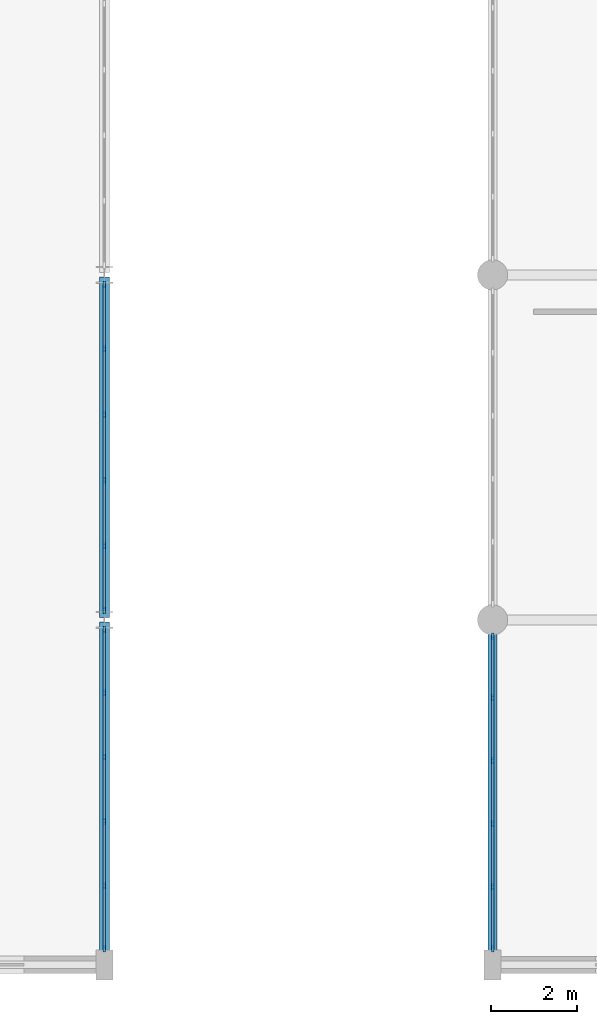
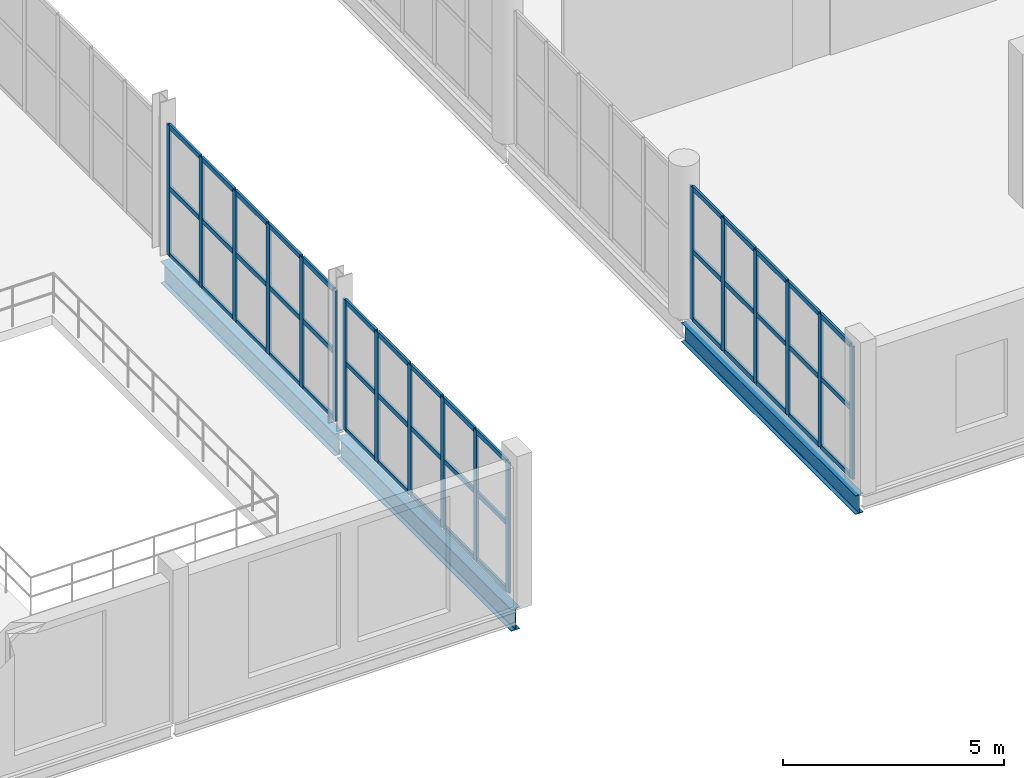
# One storey, part 28 of 85: 63 members, 3 beams, 3 elements without a shape of their own.
"""IFC4 building model written with IfcOpenShell, lengths in metres."""

from ifc_helpers import new_model, si_unit, direction, frame, origin, origin_2d, place, context, subcontext, project, spatial, rectangle, i_section, extrude, material, layer, layer_set, material_profile, profile_set, type_object, element, aggregate, save


model = new_model("IFC4")

# Units and contexts
model_context = context("Model", 3, precision=1e-05, world=origin(), true_north=direction((0.0, 1.0)))
body_context = subcontext(model_context, "Body", "Model", "MODEL_VIEW")
ifc_project = project(units=[si_unit("LENGTHUNIT", "METRE"), si_unit("AREAUNIT", "SQUARE_METRE"), si_unit("VOLUMEUNIT", "CUBIC_METRE"), si_unit("PLANEANGLEUNIT", "RADIAN"), si_unit("MASSUNIT", "GRAM", prefix="KILO")], contexts=[model_context])

# Site, building, storey
site_placement = place(None, origin())
site = spatial("IfcSite", under=ifc_project, at=site_placement, CompositionType="ELEMENT")
building_placement = place(site_placement, origin())
building = spatial("IfcBuilding", under=site, at=building_placement, Name="Marnock Terrace Opera House", CompositionType="ELEMENT")
storey_placement = place(building_placement, frame((0.0, 0.0, 10.199951171875)))
storey = spatial("IfcBuildingStorey", under=building, at=storey_placement, Name="L02", CompositionType="ELEMENT", Elevation=10.199951171875)

# Beams
ifc_material_1 = material(Name="Steel Grade 350 (AS/NZS 3679.1)", Category="steel")
ifc_material_profile_1 = material_profile(ifc_material_1, i_section(OverallWidth=0.208984375, OverallDepth=0.528076171875, WebThickness=0.009521484375, FlangeThickness=0.01318359375, FilletRadius=0.013916015625, at=origin_2d()))
ifc_profile_set_1 = profile_set([ifc_material_profile_1], Name="Steel Grade 350 (AS/NZS 3679.1)")
beam_type_1 = type_object("IfcBeamType", Name="BM-GIRD-530B", PredefinedType="BEAM", material=ifc_profile_set_1)
beam_placement = place(storey_placement, frame((118.0, 8.050048828125, -0.52392578125), z_axis=(0.0, 1.0, 0.0), x_axis=(-1.0, 0.0, 0.0)))
element("IfcBeam", 1, at=beam_placement, inside=storey, type_object=beam_type_1, Name="L02 girder (X=118.0, 8.0..16.0)", PredefinedType="BEAM", context=body_context, shape_type="SweptSolid", body=[
    extrude(i_section(OverallWidth=0.208984375, OverallDepth=0.528076171875, WebThickness=0.009521484375, FlangeThickness=0.01318359375, FilletRadius=0.013916015625, at=origin_2d()), origin(), (0.0, 0.0, 1.0), 7.89990234375),
])
ifc_material_profile_2 = material_profile(ifc_material_1, i_section(OverallWidth=0.22802734375, OverallDepth=0.60205078125, WebThickness=0.010498046875, FlangeThickness=0.014892578125, FilletRadius=0.013916015625, at=origin_2d()))
ifc_profile_set_2 = profile_set([ifc_material_profile_2], Name="Steel Grade 350 (AS/NZS 3679.1)")
beam_type_2 = type_object("IfcBeamType", Name="BM-GIRD-610C", PredefinedType="BEAM", material=ifc_profile_set_2)
for number, where, z_axis, x_axis, name in (
    (2, (109.0, 8.050048828125, -0.56103515625), (0.0, 1.0, 0.0), (-1.0, 0.0, 0.0), "L02 girder (X=109.0, 8.0..16.0)"),
    (3, (109.0, 16.050048828125, -0.56103515625), (0.0, 1.0, 0.0), (-1.0, 0.0, 0.0), "L02 girder (X=109.0, 16.0..24.0)"),
):
    element("IfcBeam", number, at=place(storey_placement, frame(where, z_axis=z_axis, x_axis=x_axis)), inside=storey, type_object=beam_type_2, Name=name, PredefinedType="BEAM", context=body_context, shape_type="SweptSolid", body=[
        extrude(i_section(OverallWidth=0.22802734375, OverallDepth=0.60205078125, WebThickness=0.010498046875, FlangeThickness=0.014892578125, FilletRadius=0.013916015625, at=origin_2d()), origin(), (0.0, 0.0, 1.0), 7.89990234375),
    ])

# Curtain wall, members
ifc_material_2 = material(Name="Anodised architectural bronze aluminium framing", Category="aluminium")
ifc_layer_1 = layer(ifc_material_2, 0.159912109375)
ifc_layer_set_1 = layer_set([ifc_layer_1], Name="Anodised architectural bronze aluminium framing")
curtain_wall_type_1 = type_object("IfcCurtainWallType", Name="CW-FOYER-80x42", PredefinedType="NOTDEFINED", material=ifc_layer_set_1)
curtain_wall_1_placement = place(storey_placement, origin())
curtain_wall_1 = element("IfcCurtainWall", 4, at=curtain_wall_1_placement, inside=storey, type_object=curtain_wall_type_1, Name="L02 glazed Beaux-Arts colonnade curtain wall CW-V1E-L02-01", PredefinedType="NOTDEFINED")
ifc_material_profile_3 = material_profile(ifc_material_2, rectangle(XDim=0.06005859375, YDim=0.14990234375, at=origin_2d()))
ifc_profile_set_3 = profile_set([ifc_material_profile_3], Name="Anodised architectural bronze aluminium framing")
member_type_1 = type_object("IfcMemberType", Name="CWM-60x150", PredefinedType="MULLION", material=ifc_profile_set_3)
member_1_placement = place(storey_placement, frame((109.0, 8.3759765625, 0.0), z_axis=(0.0, 0.0, 1.0), x_axis=(-1.0, 0.0, 0.0)))
member_1 = element("IfcMember", 5, at=member_1_placement, type_object=member_type_1, Name="CW-62 mullion 1", PredefinedType="MULLION", context=body_context, shape_type="SweptSolid", body=[
    extrude(rectangle(XDim=0.06005859375, YDim=0.14990234375, at=origin_2d()), origin(), (0.0, 0.0, 1.0), 3.608154296875),
])
member_2_placement = place(storey_placement, frame((109.0, 9.837646484375, 0.0), z_axis=(0.0, 0.0, 1.0), x_axis=(-1.0, 0.0, 0.0)))
member_2 = element("IfcMember", 6, at=member_2_placement, type_object=member_type_1, Name="CW-62 mullion 2", PredefinedType="MULLION", context=body_context, shape_type="SweptSolid", body=[
    extrude(rectangle(XDim=0.06005859375, YDim=0.14990234375, at=origin_2d()), origin(), (0.0, 0.0, 1.0), 3.608154296875),
])
member_3_placement = place(storey_placement, frame((109.0, 11.3291015625, 0.0), z_axis=(0.0, 0.0, 1.0), x_axis=(-1.0, 0.0, 0.0)))
member_3 = element("IfcMember", 7, at=member_3_placement, type_object=member_type_1, Name="CW-62 mullion 3", PredefinedType="MULLION", context=body_context, shape_type="SweptSolid", body=[
    extrude(rectangle(XDim=0.06005859375, YDim=0.14990234375, at=origin_2d()), origin(), (0.0, 0.0, 1.0), 3.608154296875),
])
member_4_placement = place(storey_placement, frame((109.0, 12.82080078125, 0.0), z_axis=(0.0, 0.0, 1.0), x_axis=(-1.0, 0.0, 0.0)))
member_4 = element("IfcMember", 8, at=member_4_placement, type_object=member_type_1, Name="CW-62 mullion 4", PredefinedType="MULLION", context=body_context, shape_type="SweptSolid", body=[
    extrude(rectangle(XDim=0.06005859375, YDim=0.14990234375, at=origin_2d()), origin(), (0.0, 0.0, 1.0), 3.608154296875),
])
member_5_placement = place(storey_placement, frame((109.0, 14.3125, 0.0), z_axis=(0.0, 0.0, 1.0), x_axis=(-1.0, 0.0, 0.0)))
member_5 = element("IfcMember", 9, at=member_5_placement, type_object=member_type_1, Name="CW-62 mullion 5", PredefinedType="MULLION", context=body_context, shape_type="SweptSolid", body=[
    extrude(rectangle(XDim=0.06005859375, YDim=0.14990234375, at=origin_2d()), origin(), (0.0, 0.0, 1.0), 3.608154296875),
])
member_6_placement = place(storey_placement, frame((109.0, 15.77392578125, 0.0), z_axis=(0.0, 0.0, 1.0), x_axis=(-1.0, 0.0, 0.0)))
member_6 = element("IfcMember", 10, at=member_6_placement, type_object=member_type_1, Name="CW-62 mullion 6", PredefinedType="MULLION", context=body_context, shape_type="SweptSolid", body=[
    extrude(rectangle(XDim=0.06005859375, YDim=0.14990234375, at=origin_2d()), origin(), (0.0, 0.0, 1.0), 3.608154296875),
])

curtain_wall_2_placement = place(storey_placement, origin())
curtain_wall_2 = element("IfcCurtainWall", 11, at=curtain_wall_2_placement, inside=storey, type_object=curtain_wall_type_1, Name="L02 glazed Beaux-Arts colonnade curtain wall CW-V1E-L02-02", PredefinedType="NOTDEFINED")
member_7_placement = place(storey_placement, frame((109.0, 16.22607421875, 0.0), z_axis=(0.0, 0.0, 1.0), x_axis=(-1.0, 0.0, 0.0)))
member_7 = element("IfcMember", 12, at=member_7_placement, type_object=member_type_1, Name="CW-62 mullion 1", PredefinedType="MULLION", context=body_context, shape_type="SweptSolid", body=[
    extrude(rectangle(XDim=0.06005859375, YDim=0.14990234375, at=origin_2d()), origin(), (0.0, 0.0, 1.0), 3.608154296875),
])
member_8_placement = place(storey_placement, frame((109.0, 17.717529296875, 0.0), z_axis=(0.0, 0.0, 1.0), x_axis=(-1.0, 0.0, 0.0)))
member_8 = element("IfcMember", 13, at=member_8_placement, type_object=member_type_1, Name="CW-62 mullion 2", PredefinedType="MULLION", context=body_context, shape_type="SweptSolid", body=[
    extrude(rectangle(XDim=0.06005859375, YDim=0.14990234375, at=origin_2d()), origin(), (0.0, 0.0, 1.0), 3.608154296875),
])
member_9_placement = place(storey_placement, frame((109.0, 19.2392578125, 0.0), z_axis=(0.0, 0.0, 1.0), x_axis=(-1.0, 0.0, 0.0)))
member_9 = element("IfcMember", 14, at=member_9_placement, type_object=member_type_1, Name="CW-62 mullion 3", PredefinedType="MULLION", context=body_context, shape_type="SweptSolid", body=[
    extrude(rectangle(XDim=0.06005859375, YDim=0.14990234375, at=origin_2d()), origin(), (0.0, 0.0, 1.0), 3.608154296875),
])
member_10_placement = place(storey_placement, frame((109.0, 20.7607421875, 0.0), z_axis=(0.0, 0.0, 1.0), x_axis=(-1.0, 0.0, 0.0)))
member_10 = element("IfcMember", 15, at=member_10_placement, type_object=member_type_1, Name="CW-62 mullion 4", PredefinedType="MULLION", context=body_context, shape_type="SweptSolid", body=[
    extrude(rectangle(XDim=0.06005859375, YDim=0.14990234375, at=origin_2d()), origin(), (0.0, 0.0, 1.0), 3.608154296875),
])
member_11_placement = place(storey_placement, frame((109.0, 22.282470703125, 0.0), z_axis=(0.0, 0.0, 1.0), x_axis=(-1.0, 0.0, 0.0)))
member_11 = element("IfcMember", 16, at=member_11_placement, type_object=member_type_1, Name="CW-62 mullion 5", PredefinedType="MULLION", context=body_context, shape_type="SweptSolid", body=[
    extrude(rectangle(XDim=0.06005859375, YDim=0.14990234375, at=origin_2d()), origin(), (0.0, 0.0, 1.0), 3.608154296875),
])
member_12_placement = place(storey_placement, frame((109.0, 23.77392578125, 0.0), z_axis=(0.0, 0.0, 1.0), x_axis=(-1.0, 0.0, 0.0)))
member_12 = element("IfcMember", 17, at=member_12_placement, type_object=member_type_1, Name="CW-62 mullion 6", PredefinedType="MULLION", context=body_context, shape_type="SweptSolid", body=[
    extrude(rectangle(XDim=0.06005859375, YDim=0.14990234375, at=origin_2d()), origin(), (0.0, 0.0, 1.0), 3.608154296875),
])

ifc_layer_2 = layer(ifc_material_2, 0.159912109375)
ifc_layer_set_2 = layer_set([ifc_layer_2], Name="Anodised architectural bronze aluminium framing")
curtain_wall_type_2 = type_object("IfcCurtainWallType", Name="CW-LOGGIA-86x42", PredefinedType="NOTDEFINED", material=ifc_layer_set_2)
curtain_wall_3_placement = place(storey_placement, origin())
curtain_wall_3 = element("IfcCurtainWall", 18, at=curtain_wall_3_placement, inside=storey, type_object=curtain_wall_type_2, Name="L02 glazed Beaux-Arts colonnade curtain wall CW-V5-L02-W1", PredefinedType="NOTDEFINED")
member_13_placement = place(storey_placement, frame((118.0, 8.3759765625, 0.0), z_axis=(0.0, 0.0, 1.0), x_axis=(-1.0, 0.0, 0.0)))
member_13 = element("IfcMember", 19, at=member_13_placement, type_object=member_type_1, Name="CW-66 mullion 1", PredefinedType="MULLION", context=body_context, shape_type="SweptSolid", body=[
    extrude(rectangle(XDim=0.06005859375, YDim=0.14990234375, at=origin_2d()), origin(), (0.0, 0.0, 1.0), 3.68212890625),
])
member_14_placement = place(storey_placement, frame((118.0, 9.8076171875, 0.0), z_axis=(0.0, 0.0, 1.0), x_axis=(-1.0, 0.0, 0.0)))
member_14 = element("IfcMember", 20, at=member_14_placement, type_object=member_type_1, Name="CW-66 mullion 2", PredefinedType="MULLION", context=body_context, shape_type="SweptSolid", body=[
    extrude(rectangle(XDim=0.06005859375, YDim=0.14990234375, at=origin_2d()), origin(), (0.0, 0.0, 1.0), 3.68212890625),
])
member_15_placement = place(storey_placement, frame((118.0, 11.269287109375, 0.0), z_axis=(0.0, 0.0, 1.0), x_axis=(-1.0, 0.0, 0.0)))
member_15 = element("IfcMember", 21, at=member_15_placement, type_object=member_type_1, Name="CW-66 mullion 3", PredefinedType="MULLION", context=body_context, shape_type="SweptSolid", body=[
    extrude(rectangle(XDim=0.06005859375, YDim=0.14990234375, at=origin_2d()), origin(), (0.0, 0.0, 1.0), 3.68212890625),
])
member_16_placement = place(storey_placement, frame((118.0, 12.730712890625, 0.0), z_axis=(0.0, 0.0, 1.0), x_axis=(-1.0, 0.0, 0.0)))
member_16 = element("IfcMember", 22, at=member_16_placement, type_object=member_type_1, Name="CW-66 mullion 4", PredefinedType="MULLION", context=body_context, shape_type="SweptSolid", body=[
    extrude(rectangle(XDim=0.06005859375, YDim=0.14990234375, at=origin_2d()), origin(), (0.0, 0.0, 1.0), 3.68212890625),
])
member_17_placement = place(storey_placement, frame((118.0, 14.1923828125, 0.0), z_axis=(0.0, 0.0, 1.0), x_axis=(-1.0, 0.0, 0.0)))
member_17 = element("IfcMember", 23, at=member_17_placement, type_object=member_type_1, Name="CW-66 mullion 5", PredefinedType="MULLION", context=body_context, shape_type="SweptSolid", body=[
    extrude(rectangle(XDim=0.06005859375, YDim=0.14990234375, at=origin_2d()), origin(), (0.0, 0.0, 1.0), 3.68212890625),
])
member_18_placement = place(storey_placement, frame((118.0, 15.6240234375, 0.0), z_axis=(0.0, 0.0, 1.0), x_axis=(-1.0, 0.0, 0.0)))
member_18 = element("IfcMember", 24, at=member_18_placement, type_object=member_type_1, Name="CW-66 mullion 6", PredefinedType="MULLION", context=body_context, shape_type="SweptSolid", body=[
    extrude(rectangle(XDim=0.06005859375, YDim=0.14990234375, at=origin_2d()), origin(), (0.0, 0.0, 1.0), 3.68212890625),
])

# Member
ifc_material_profile_4 = material_profile(ifc_material_2, rectangle(XDim=0.06005859375, YDim=0.1298828125, at=origin_2d()))
ifc_profile_set_4 = profile_set([ifc_material_profile_4], Name="Anodised architectural bronze aluminium framing")
member_type_2 = type_object("IfcMemberType", Name="CWT-60x130", PredefinedType="USERDEFINED", material=ifc_profile_set_4)
member_19_placement = place(storey_placement, frame((109.0, 8.406005859375, 0.030029296875), z_axis=(0.0, 1.0, 0.0), x_axis=(-1.0, 0.0, 0.0)))
member_19 = element("IfcMember", 25, at=member_19_placement, type_object=member_type_2, Name="CW-62 transom 1.1", ObjectType="TRANSOM", PredefinedType="USERDEFINED", context=body_context, shape_type="SweptSolid", body=[
    extrude(rectangle(XDim=0.06005859375, YDim=0.1298828125, at=origin_2d()), origin(), (0.0, 0.0, 1.0), 1.401611328125),
])

member_20_placement = place(storey_placement, frame((109.0, 8.406005859375, 1.876220703125), z_axis=(0.0, 1.0, 0.0), x_axis=(-1.0, 0.0, 0.0)))
member_20 = element("IfcMember", 26, at=member_20_placement, type_object=member_type_2, Name="CW-62 transom 1.2", ObjectType="TRANSOM", PredefinedType="USERDEFINED", context=body_context, shape_type="SweptSolid", body=[
    extrude(rectangle(XDim=0.06005859375, YDim=0.1298828125, at=origin_2d()), origin(), (0.0, 0.0, 1.0), 1.401611328125),
])

member_21_placement = place(storey_placement, frame((109.0, 8.406005859375, 3.578125), z_axis=(0.0, 1.0, 0.0), x_axis=(-1.0, 0.0, 0.0)))
member_21 = element("IfcMember", 27, at=member_21_placement, type_object=member_type_2, Name="CW-62 transom 1.3", ObjectType="TRANSOM", PredefinedType="USERDEFINED", context=body_context, shape_type="SweptSolid", body=[
    extrude(rectangle(XDim=0.06005859375, YDim=0.1298828125, at=origin_2d()), origin(), (0.0, 0.0, 1.0), 1.401611328125),
])

member_22_placement = place(storey_placement, frame((109.0, 9.86767578125, 0.030029296875), z_axis=(0.0, 1.0, 0.0), x_axis=(-1.0, 0.0, 0.0)))
member_22 = element("IfcMember", 28, at=member_22_placement, type_object=member_type_2, Name="CW-62 transom 2.1", ObjectType="TRANSOM", PredefinedType="USERDEFINED", context=body_context, shape_type="SweptSolid", body=[
    extrude(rectangle(XDim=0.06005859375, YDim=0.1298828125, at=origin_2d()), origin(), (0.0, 0.0, 1.0), 1.431640625),
])

member_23_placement = place(storey_placement, frame((109.0, 9.86767578125, 1.876220703125), z_axis=(0.0, 1.0, 0.0), x_axis=(-1.0, 0.0, 0.0)))
member_23 = element("IfcMember", 29, at=member_23_placement, type_object=member_type_2, Name="CW-62 transom 2.2", ObjectType="TRANSOM", PredefinedType="USERDEFINED", context=body_context, shape_type="SweptSolid", body=[
    extrude(rectangle(XDim=0.06005859375, YDim=0.1298828125, at=origin_2d()), origin(), (0.0, 0.0, 1.0), 1.431640625),
])

member_24_placement = place(storey_placement, frame((109.0, 9.86767578125, 3.578125), z_axis=(0.0, 1.0, 0.0), x_axis=(-1.0, 0.0, 0.0)))
member_24 = element("IfcMember", 30, at=member_24_placement, type_object=member_type_2, Name="CW-62 transom 2.3", ObjectType="TRANSOM", PredefinedType="USERDEFINED", context=body_context, shape_type="SweptSolid", body=[
    extrude(rectangle(XDim=0.06005859375, YDim=0.1298828125, at=origin_2d()), origin(), (0.0, 0.0, 1.0), 1.431640625),
])

member_25_placement = place(storey_placement, frame((109.0, 11.359130859375, 0.030029296875), z_axis=(0.0, 1.0, 0.0), x_axis=(-1.0, 0.0, 0.0)))
member_25 = element("IfcMember", 31, at=member_25_placement, type_object=member_type_2, Name="CW-62 transom 3.1", ObjectType="TRANSOM", PredefinedType="USERDEFINED", context=body_context, shape_type="SweptSolid", body=[
    extrude(rectangle(XDim=0.06005859375, YDim=0.1298828125, at=origin_2d()), origin(), (0.0, 0.0, 1.0), 1.431640625),
])

member_26_placement = place(storey_placement, frame((109.0, 11.359130859375, 1.876220703125), z_axis=(0.0, 1.0, 0.0), x_axis=(-1.0, 0.0, 0.0)))
member_26 = element("IfcMember", 32, at=member_26_placement, type_object=member_type_2, Name="CW-62 transom 3.2", ObjectType="TRANSOM", PredefinedType="USERDEFINED", context=body_context, shape_type="SweptSolid", body=[
    extrude(rectangle(XDim=0.06005859375, YDim=0.1298828125, at=origin_2d()), origin(), (0.0, 0.0, 1.0), 1.431640625),
])

member_27_placement = place(storey_placement, frame((109.0, 11.359130859375, 3.578125), z_axis=(0.0, 1.0, 0.0), x_axis=(-1.0, 0.0, 0.0)))
member_27 = element("IfcMember", 33, at=member_27_placement, type_object=member_type_2, Name="CW-62 transom 3.3", ObjectType="TRANSOM", PredefinedType="USERDEFINED", context=body_context, shape_type="SweptSolid", body=[
    extrude(rectangle(XDim=0.06005859375, YDim=0.1298828125, at=origin_2d()), origin(), (0.0, 0.0, 1.0), 1.431640625),
])

member_28_placement = place(storey_placement, frame((109.0, 12.850830078125, 0.030029296875), z_axis=(0.0, 1.0, 0.0), x_axis=(-1.0, 0.0, 0.0)))
member_28 = element("IfcMember", 34, at=member_28_placement, type_object=member_type_2, Name="CW-62 transom 4.1", ObjectType="TRANSOM", PredefinedType="USERDEFINED", context=body_context, shape_type="SweptSolid", body=[
    extrude(rectangle(XDim=0.06005859375, YDim=0.1298828125, at=origin_2d()), origin(), (0.0, 0.0, 1.0), 1.431640625),
])

member_29_placement = place(storey_placement, frame((109.0, 12.850830078125, 1.876220703125), z_axis=(0.0, 1.0, 0.0), x_axis=(-1.0, 0.0, 0.0)))
member_29 = element("IfcMember", 35, at=member_29_placement, type_object=member_type_2, Name="CW-62 transom 4.2", ObjectType="TRANSOM", PredefinedType="USERDEFINED", context=body_context, shape_type="SweptSolid", body=[
    extrude(rectangle(XDim=0.06005859375, YDim=0.1298828125, at=origin_2d()), origin(), (0.0, 0.0, 1.0), 1.431640625),
])

member_30_placement = place(storey_placement, frame((109.0, 12.850830078125, 3.578125), z_axis=(0.0, 1.0, 0.0), x_axis=(-1.0, 0.0, 0.0)))
member_30 = element("IfcMember", 36, at=member_30_placement, type_object=member_type_2, Name="CW-62 transom 4.3", ObjectType="TRANSOM", PredefinedType="USERDEFINED", context=body_context, shape_type="SweptSolid", body=[
    extrude(rectangle(XDim=0.06005859375, YDim=0.1298828125, at=origin_2d()), origin(), (0.0, 0.0, 1.0), 1.431640625),
])

member_31_placement = place(storey_placement, frame((109.0, 14.34228515625, 0.030029296875), z_axis=(0.0, 1.0, 0.0), x_axis=(-1.0, 0.0, 0.0)))
member_31 = element("IfcMember", 37, at=member_31_placement, type_object=member_type_2, Name="CW-62 transom 5.1", ObjectType="TRANSOM", PredefinedType="USERDEFINED", context=body_context, shape_type="SweptSolid", body=[
    extrude(rectangle(XDim=0.06005859375, YDim=0.1298828125, at=origin_2d()), origin(), (0.0, 0.0, 1.0), 1.401611328125),
])

member_32_placement = place(storey_placement, frame((109.0, 14.34228515625, 1.876220703125), z_axis=(0.0, 1.0, 0.0), x_axis=(-1.0, 0.0, 0.0)))
member_32 = element("IfcMember", 38, at=member_32_placement, type_object=member_type_2, Name="CW-62 transom 5.2", ObjectType="TRANSOM", PredefinedType="USERDEFINED", context=body_context, shape_type="SweptSolid", body=[
    extrude(rectangle(XDim=0.06005859375, YDim=0.1298828125, at=origin_2d()), origin(), (0.0, 0.0, 1.0), 1.401611328125),
])

member_33_placement = place(storey_placement, frame((109.0, 14.34228515625, 3.578125), z_axis=(0.0, 1.0, 0.0), x_axis=(-1.0, 0.0, 0.0)))
member_33 = element("IfcMember", 39, at=member_33_placement, type_object=member_type_2, Name="CW-62 transom 5.3", ObjectType="TRANSOM", PredefinedType="USERDEFINED", context=body_context, shape_type="SweptSolid", body=[
    extrude(rectangle(XDim=0.06005859375, YDim=0.1298828125, at=origin_2d()), origin(), (0.0, 0.0, 1.0), 1.401611328125),
])

aggregate(curtain_wall_1, [member_1, member_2, member_3, member_4, member_5, member_6, member_19, member_20, member_21, member_22, member_23, member_24, member_25, member_26, member_27, member_28, member_29, member_30, member_31, member_32, member_33])

member_34_placement = place(storey_placement, frame((109.0, 16.256103515625, 0.030029296875), z_axis=(0.0, 1.0, 0.0), x_axis=(-1.0, 0.0, 0.0)))
member_34 = element("IfcMember", 40, at=member_34_placement, type_object=member_type_2, Name="CW-62 transom 1.1", ObjectType="TRANSOM", PredefinedType="USERDEFINED", context=body_context, shape_type="SweptSolid", body=[
    extrude(rectangle(XDim=0.06005859375, YDim=0.1298828125, at=origin_2d()), origin(), (0.0, 0.0, 1.0), 1.431396484375),
])

member_35_placement = place(storey_placement, frame((109.0, 16.256103515625, 1.876220703125), z_axis=(0.0, 1.0, 0.0), x_axis=(-1.0, 0.0, 0.0)))
member_35 = element("IfcMember", 41, at=member_35_placement, type_object=member_type_2, Name="CW-62 transom 1.2", ObjectType="TRANSOM", PredefinedType="USERDEFINED", context=body_context, shape_type="SweptSolid", body=[
    extrude(rectangle(XDim=0.06005859375, YDim=0.1298828125, at=origin_2d()), origin(), (0.0, 0.0, 1.0), 1.431396484375),
])

member_36_placement = place(storey_placement, frame((109.0, 16.256103515625, 3.578125), z_axis=(0.0, 1.0, 0.0), x_axis=(-1.0, 0.0, 0.0)))
member_36 = element("IfcMember", 42, at=member_36_placement, type_object=member_type_2, Name="CW-62 transom 1.3", ObjectType="TRANSOM", PredefinedType="USERDEFINED", context=body_context, shape_type="SweptSolid", body=[
    extrude(rectangle(XDim=0.06005859375, YDim=0.1298828125, at=origin_2d()), origin(), (0.0, 0.0, 1.0), 1.431396484375),
])

member_37_placement = place(storey_placement, frame((109.0, 17.74755859375, 0.030029296875), z_axis=(0.0, 1.0, 0.0), x_axis=(-1.0, 0.0, 0.0)))
member_37 = element("IfcMember", 43, at=member_37_placement, type_object=member_type_2, Name="CW-62 transom 2.1", ObjectType="TRANSOM", PredefinedType="USERDEFINED", context=body_context, shape_type="SweptSolid", body=[
    extrude(rectangle(XDim=0.06005859375, YDim=0.1298828125, at=origin_2d()), origin(), (0.0, 0.0, 1.0), 1.461669921875),
])

member_38_placement = place(storey_placement, frame((109.0, 17.74755859375, 1.876220703125), z_axis=(0.0, 1.0, 0.0), x_axis=(-1.0, 0.0, 0.0)))
member_38 = element("IfcMember", 44, at=member_38_placement, type_object=member_type_2, Name="CW-62 transom 2.2", ObjectType="TRANSOM", PredefinedType="USERDEFINED", context=body_context, shape_type="SweptSolid", body=[
    extrude(rectangle(XDim=0.06005859375, YDim=0.1298828125, at=origin_2d()), origin(), (0.0, 0.0, 1.0), 1.461669921875),
])

member_39_placement = place(storey_placement, frame((109.0, 17.74755859375, 3.578125), z_axis=(0.0, 1.0, 0.0), x_axis=(-1.0, 0.0, 0.0)))
member_39 = element("IfcMember", 45, at=member_39_placement, type_object=member_type_2, Name="CW-62 transom 2.3", ObjectType="TRANSOM", PredefinedType="USERDEFINED", context=body_context, shape_type="SweptSolid", body=[
    extrude(rectangle(XDim=0.06005859375, YDim=0.1298828125, at=origin_2d()), origin(), (0.0, 0.0, 1.0), 1.461669921875),
])

member_40_placement = place(storey_placement, frame((109.0, 19.269287109375, 0.030029296875), z_axis=(0.0, 1.0, 0.0), x_axis=(-1.0, 0.0, 0.0)))
member_40 = element("IfcMember", 46, at=member_40_placement, type_object=member_type_2, Name="CW-62 transom 3.1", ObjectType="TRANSOM", PredefinedType="USERDEFINED", context=body_context, shape_type="SweptSolid", body=[
    extrude(rectangle(XDim=0.06005859375, YDim=0.1298828125, at=origin_2d()), origin(), (0.0, 0.0, 1.0), 1.46142578125),
])

member_41_placement = place(storey_placement, frame((109.0, 19.269287109375, 1.876220703125), z_axis=(0.0, 1.0, 0.0), x_axis=(-1.0, 0.0, 0.0)))
member_41 = element("IfcMember", 47, at=member_41_placement, type_object=member_type_2, Name="CW-62 transom 3.2", ObjectType="TRANSOM", PredefinedType="USERDEFINED", context=body_context, shape_type="SweptSolid", body=[
    extrude(rectangle(XDim=0.06005859375, YDim=0.1298828125, at=origin_2d()), origin(), (0.0, 0.0, 1.0), 1.46142578125),
])

member_42_placement = place(storey_placement, frame((109.0, 19.269287109375, 3.578125), z_axis=(0.0, 1.0, 0.0), x_axis=(-1.0, 0.0, 0.0)))
member_42 = element("IfcMember", 48, at=member_42_placement, type_object=member_type_2, Name="CW-62 transom 3.3", ObjectType="TRANSOM", PredefinedType="USERDEFINED", context=body_context, shape_type="SweptSolid", body=[
    extrude(rectangle(XDim=0.06005859375, YDim=0.1298828125, at=origin_2d()), origin(), (0.0, 0.0, 1.0), 1.46142578125),
])

member_43_placement = place(storey_placement, frame((109.0, 20.790771484375, 0.030029296875), z_axis=(0.0, 1.0, 0.0), x_axis=(-1.0, 0.0, 0.0)))
member_43 = element("IfcMember", 49, at=member_43_placement, type_object=member_type_2, Name="CW-62 transom 4.1", ObjectType="TRANSOM", PredefinedType="USERDEFINED", context=body_context, shape_type="SweptSolid", body=[
    extrude(rectangle(XDim=0.06005859375, YDim=0.1298828125, at=origin_2d()), origin(), (0.0, 0.0, 1.0), 1.461669921875),
])

member_44_placement = place(storey_placement, frame((109.0, 20.790771484375, 1.876220703125), z_axis=(0.0, 1.0, 0.0), x_axis=(-1.0, 0.0, 0.0)))
member_44 = element("IfcMember", 50, at=member_44_placement, type_object=member_type_2, Name="CW-62 transom 4.2", ObjectType="TRANSOM", PredefinedType="USERDEFINED", context=body_context, shape_type="SweptSolid", body=[
    extrude(rectangle(XDim=0.06005859375, YDim=0.1298828125, at=origin_2d()), origin(), (0.0, 0.0, 1.0), 1.461669921875),
])

member_45_placement = place(storey_placement, frame((109.0, 20.790771484375, 3.578125), z_axis=(0.0, 1.0, 0.0), x_axis=(-1.0, 0.0, 0.0)))
member_45 = element("IfcMember", 51, at=member_45_placement, type_object=member_type_2, Name="CW-62 transom 4.3", ObjectType="TRANSOM", PredefinedType="USERDEFINED", context=body_context, shape_type="SweptSolid", body=[
    extrude(rectangle(XDim=0.06005859375, YDim=0.1298828125, at=origin_2d()), origin(), (0.0, 0.0, 1.0), 1.461669921875),
])

member_46_placement = place(storey_placement, frame((109.0, 22.3125, 0.030029296875), z_axis=(0.0, 1.0, 0.0), x_axis=(-1.0, 0.0, 0.0)))
member_46 = element("IfcMember", 52, at=member_46_placement, type_object=member_type_2, Name="CW-62 transom 5.1", ObjectType="TRANSOM", PredefinedType="USERDEFINED", context=body_context, shape_type="SweptSolid", body=[
    extrude(rectangle(XDim=0.06005859375, YDim=0.1298828125, at=origin_2d()), origin(), (0.0, 0.0, 1.0), 1.431396484375),
])

member_47_placement = place(storey_placement, frame((109.0, 22.3125, 1.876220703125), z_axis=(0.0, 1.0, 0.0), x_axis=(-1.0, 0.0, 0.0)))
member_47 = element("IfcMember", 53, at=member_47_placement, type_object=member_type_2, Name="CW-62 transom 5.2", ObjectType="TRANSOM", PredefinedType="USERDEFINED", context=body_context, shape_type="SweptSolid", body=[
    extrude(rectangle(XDim=0.06005859375, YDim=0.1298828125, at=origin_2d()), origin(), (0.0, 0.0, 1.0), 1.431396484375),
])

member_48_placement = place(storey_placement, frame((109.0, 22.3125, 3.578125), z_axis=(0.0, 1.0, 0.0), x_axis=(-1.0, 0.0, 0.0)))
member_48 = element("IfcMember", 54, at=member_48_placement, type_object=member_type_2, Name="CW-62 transom 5.3", ObjectType="TRANSOM", PredefinedType="USERDEFINED", context=body_context, shape_type="SweptSolid", body=[
    extrude(rectangle(XDim=0.06005859375, YDim=0.1298828125, at=origin_2d()), origin(), (0.0, 0.0, 1.0), 1.431396484375),
])

aggregate(curtain_wall_2, [member_7, member_8, member_9, member_10, member_11, member_12, member_34, member_35, member_36, member_37, member_38, member_39, member_40, member_41, member_42, member_43, member_44, member_45, member_46, member_47, member_48])

member_49_placement = place(storey_placement, frame((118.0, 8.406005859375, 0.030029296875), z_axis=(0.0, 1.0, 0.0), x_axis=(-1.0, 0.0, 0.0)))
member_49 = element("IfcMember", 55, at=member_49_placement, type_object=member_type_2, Name="CW-66 transom 1.1", ObjectType="TRANSOM", PredefinedType="USERDEFINED", context=body_context, shape_type="SweptSolid", body=[
    extrude(rectangle(XDim=0.06005859375, YDim=0.1298828125, at=origin_2d()), origin(), (0.0, 0.0, 1.0), 1.37158203125),
])

member_50_placement = place(storey_placement, frame((118.0, 8.406005859375, 1.91455078125), z_axis=(0.0, 1.0, 0.0), x_axis=(-1.0, 0.0, 0.0)))
member_50 = element("IfcMember", 56, at=member_50_placement, type_object=member_type_2, Name="CW-66 transom 1.2", ObjectType="TRANSOM", PredefinedType="USERDEFINED", context=body_context, shape_type="SweptSolid", body=[
    extrude(rectangle(XDim=0.06005859375, YDim=0.1298828125, at=origin_2d()), origin(), (0.0, 0.0, 1.0), 1.37158203125),
])

member_51_placement = place(storey_placement, frame((118.0, 8.406005859375, 3.652099609375), z_axis=(0.0, 1.0, 0.0), x_axis=(-1.0, 0.0, 0.0)))
member_51 = element("IfcMember", 57, at=member_51_placement, type_object=member_type_2, Name="CW-66 transom 1.3", ObjectType="TRANSOM", PredefinedType="USERDEFINED", context=body_context, shape_type="SweptSolid", body=[
    extrude(rectangle(XDim=0.06005859375, YDim=0.1298828125, at=origin_2d()), origin(), (0.0, 0.0, 1.0), 1.37158203125),
])

member_52_placement = place(storey_placement, frame((118.0, 9.837646484375, 0.030029296875), z_axis=(0.0, 1.0, 0.0), x_axis=(-1.0, 0.0, 0.0)))
member_52 = element("IfcMember", 58, at=member_52_placement, type_object=member_type_2, Name="CW-66 transom 2.1", ObjectType="TRANSOM", PredefinedType="USERDEFINED", context=body_context, shape_type="SweptSolid", body=[
    extrude(rectangle(XDim=0.06005859375, YDim=0.1298828125, at=origin_2d()), origin(), (0.0, 0.0, 1.0), 1.401611328125),
])

member_53_placement = place(storey_placement, frame((118.0, 9.837646484375, 1.91455078125), z_axis=(0.0, 1.0, 0.0), x_axis=(-1.0, 0.0, 0.0)))
member_53 = element("IfcMember", 59, at=member_53_placement, type_object=member_type_2, Name="CW-66 transom 2.2", ObjectType="TRANSOM", PredefinedType="USERDEFINED", context=body_context, shape_type="SweptSolid", body=[
    extrude(rectangle(XDim=0.06005859375, YDim=0.1298828125, at=origin_2d()), origin(), (0.0, 0.0, 1.0), 1.401611328125),
])

member_54_placement = place(storey_placement, frame((118.0, 9.837646484375, 3.652099609375), z_axis=(0.0, 1.0, 0.0), x_axis=(-1.0, 0.0, 0.0)))
member_54 = element("IfcMember", 60, at=member_54_placement, type_object=member_type_2, Name="CW-66 transom 2.3", ObjectType="TRANSOM", PredefinedType="USERDEFINED", context=body_context, shape_type="SweptSolid", body=[
    extrude(rectangle(XDim=0.06005859375, YDim=0.1298828125, at=origin_2d()), origin(), (0.0, 0.0, 1.0), 1.401611328125),
])

member_55_placement = place(storey_placement, frame((118.0, 11.29931640625, 0.030029296875), z_axis=(0.0, 1.0, 0.0), x_axis=(-1.0, 0.0, 0.0)))
member_55 = element("IfcMember", 61, at=member_55_placement, type_object=member_type_2, Name="CW-66 transom 3.1", ObjectType="TRANSOM", PredefinedType="USERDEFINED", context=body_context, shape_type="SweptSolid", body=[
    extrude(rectangle(XDim=0.06005859375, YDim=0.1298828125, at=origin_2d()), origin(), (0.0, 0.0, 1.0), 1.4013671875),
])

member_56_placement = place(storey_placement, frame((118.0, 11.29931640625, 1.91455078125), z_axis=(0.0, 1.0, 0.0), x_axis=(-1.0, 0.0, 0.0)))
member_56 = element("IfcMember", 62, at=member_56_placement, type_object=member_type_2, Name="CW-66 transom 3.2", ObjectType="TRANSOM", PredefinedType="USERDEFINED", context=body_context, shape_type="SweptSolid", body=[
    extrude(rectangle(XDim=0.06005859375, YDim=0.1298828125, at=origin_2d()), origin(), (0.0, 0.0, 1.0), 1.4013671875),
])

member_57_placement = place(storey_placement, frame((118.0, 11.29931640625, 3.652099609375), z_axis=(0.0, 1.0, 0.0), x_axis=(-1.0, 0.0, 0.0)))
member_57 = element("IfcMember", 63, at=member_57_placement, type_object=member_type_2, Name="CW-66 transom 3.3", ObjectType="TRANSOM", PredefinedType="USERDEFINED", context=body_context, shape_type="SweptSolid", body=[
    extrude(rectangle(XDim=0.06005859375, YDim=0.1298828125, at=origin_2d()), origin(), (0.0, 0.0, 1.0), 1.4013671875),
])

member_58_placement = place(storey_placement, frame((118.0, 12.7607421875, 0.030029296875), z_axis=(0.0, 1.0, 0.0), x_axis=(-1.0, 0.0, 0.0)))
member_58 = element("IfcMember", 64, at=member_58_placement, type_object=member_type_2, Name="CW-66 transom 4.1", ObjectType="TRANSOM", PredefinedType="USERDEFINED", context=body_context, shape_type="SweptSolid", body=[
    extrude(rectangle(XDim=0.06005859375, YDim=0.1298828125, at=origin_2d()), origin(), (0.0, 0.0, 1.0), 1.401611328125),
])

member_59_placement = place(storey_placement, frame((118.0, 12.7607421875, 1.91455078125), z_axis=(0.0, 1.0, 0.0), x_axis=(-1.0, 0.0, 0.0)))
member_59 = element("IfcMember", 65, at=member_59_placement, type_object=member_type_2, Name="CW-66 transom 4.2", ObjectType="TRANSOM", PredefinedType="USERDEFINED", context=body_context, shape_type="SweptSolid", body=[
    extrude(rectangle(XDim=0.06005859375, YDim=0.1298828125, at=origin_2d()), origin(), (0.0, 0.0, 1.0), 1.401611328125),
])

member_60_placement = place(storey_placement, frame((118.0, 12.7607421875, 3.652099609375), z_axis=(0.0, 1.0, 0.0), x_axis=(-1.0, 0.0, 0.0)))
member_60 = element("IfcMember", 66, at=member_60_placement, type_object=member_type_2, Name="CW-66 transom 4.3", ObjectType="TRANSOM", PredefinedType="USERDEFINED", context=body_context, shape_type="SweptSolid", body=[
    extrude(rectangle(XDim=0.06005859375, YDim=0.1298828125, at=origin_2d()), origin(), (0.0, 0.0, 1.0), 1.401611328125),
])

member_61_placement = place(storey_placement, frame((118.0, 14.222412109375, 0.030029296875), z_axis=(0.0, 1.0, 0.0), x_axis=(-1.0, 0.0, 0.0)))
member_61 = element("IfcMember", 67, at=member_61_placement, type_object=member_type_2, Name="CW-66 transom 5.1", ObjectType="TRANSOM", PredefinedType="USERDEFINED", context=body_context, shape_type="SweptSolid", body=[
    extrude(rectangle(XDim=0.06005859375, YDim=0.1298828125, at=origin_2d()), origin(), (0.0, 0.0, 1.0), 1.37158203125),
])

member_62_placement = place(storey_placement, frame((118.0, 14.222412109375, 1.91455078125), z_axis=(0.0, 1.0, 0.0), x_axis=(-1.0, 0.0, 0.0)))
member_62 = element("IfcMember", 68, at=member_62_placement, type_object=member_type_2, Name="CW-66 transom 5.2", ObjectType="TRANSOM", PredefinedType="USERDEFINED", context=body_context, shape_type="SweptSolid", body=[
    extrude(rectangle(XDim=0.06005859375, YDim=0.1298828125, at=origin_2d()), origin(), (0.0, 0.0, 1.0), 1.37158203125),
])

member_63_placement = place(storey_placement, frame((118.0, 14.222412109375, 3.652099609375), z_axis=(0.0, 1.0, 0.0), x_axis=(-1.0, 0.0, 0.0)))
member_63 = element("IfcMember", 69, at=member_63_placement, type_object=member_type_2, Name="CW-66 transom 5.3", ObjectType="TRANSOM", PredefinedType="USERDEFINED", context=body_context, shape_type="SweptSolid", body=[
    extrude(rectangle(XDim=0.06005859375, YDim=0.1298828125, at=origin_2d()), origin(), (0.0, 0.0, 1.0), 1.37158203125),
])

aggregate(curtain_wall_3, [member_13, member_14, member_15, member_16, member_17, member_18, member_49, member_50, member_51, member_52, member_53, member_54, member_55, member_56, member_57, member_58, member_59, member_60, member_61, member_62, member_63])

save(model, "model.ifc")
